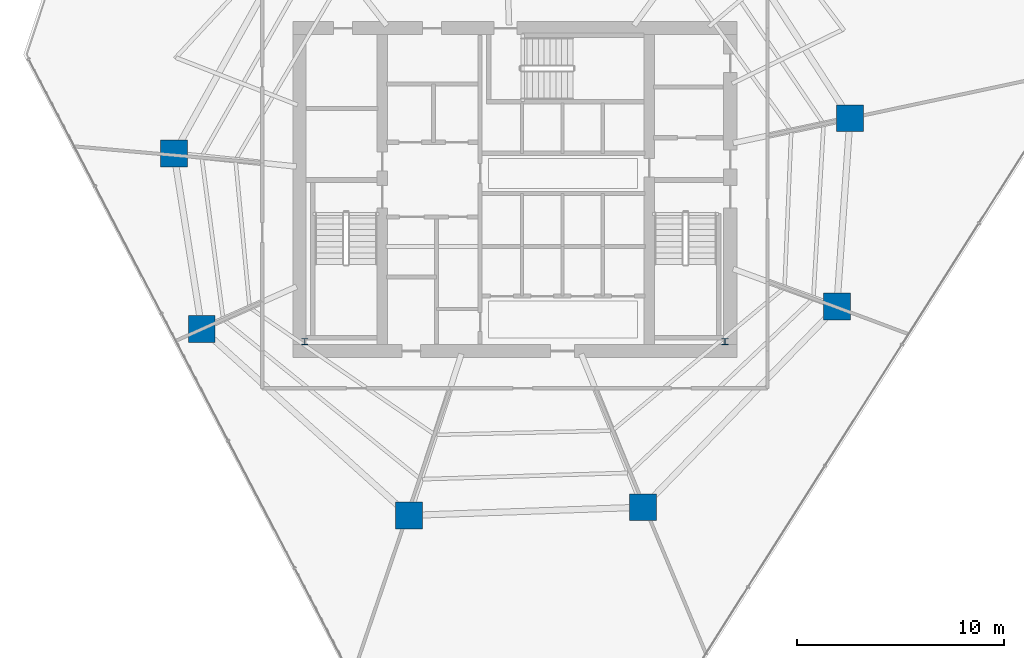
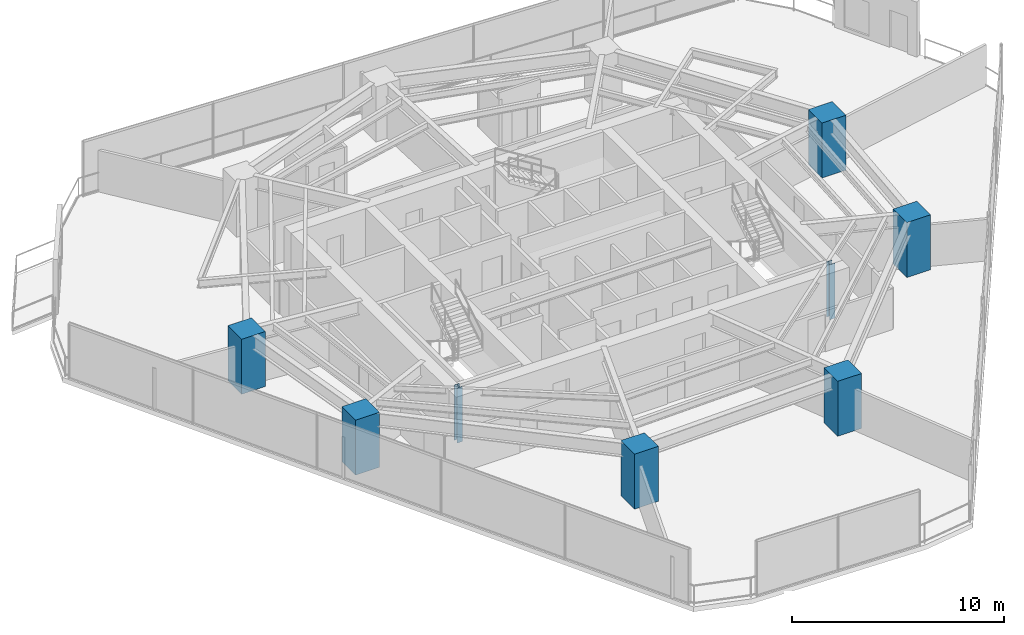
# One storey, part 1 of 30: 8 columns.
"""IFC4 building model written with IfcOpenShell, lengths in metres."""

from ifc_helpers import new_model, si_unit, direction, frame, origin, origin_2d, place, context, subcontext, project, spatial, rectangle, i_section, extrude, material, material_profile, profile_set, type_object, element, save


model = new_model("IFC4")

# Units and contexts
model_context = context("Model", 3, precision=1e-05, world=origin(), true_north=direction((0.0, 1.0)))
body_context = subcontext(model_context, "Body", "Model", "MODEL_VIEW")
ifc_project = project(units=[si_unit("LENGTHUNIT", "METRE"), si_unit("AREAUNIT", "SQUARE_METRE"), si_unit("VOLUMEUNIT", "CUBIC_METRE"), si_unit("PLANEANGLEUNIT", "RADIAN"), si_unit("MASSUNIT", "GRAM", prefix="KILO")], contexts=[model_context])

# Site, building, storey
site_placement = place(None, origin())
site = spatial("IfcSite", under=ifc_project, at=site_placement, CompositionType="ELEMENT")
building_placement = place(site_placement, origin())
building = spatial("IfcBuilding", under=site, at=building_placement, Name="Qarnah Convention Tower", CompositionType="ELEMENT")
storey_placement = place(building_placement, frame((0.0, 0.0, 58.050048828125)))
storey = spatial("IfcBuildingStorey", under=building, at=storey_placement, Name="L14", CompositionType="ELEMENT", Elevation=58.050048828125)

# Columns
ifc_material_1 = material(Name="Concrete C60/75", Category="concrete")
ifc_material_profile_1 = material_profile(ifc_material_1, rectangle(XDim=1.300048828125, YDim=1.300048828125, at=origin_2d()), Name="RC-COL-1300X1300")
ifc_profile_set_1 = profile_set([ifc_material_profile_1], Name="Concrete C60/75")
column_type_1 = type_object("IfcColumnType", Name="COL-Z1-1300", PredefinedType="COLUMN", material=ifc_profile_set_1)
for number, where, z_axis, x_axis, name in (
    (1, (53.387939453125, 29.841064453125, 0.0), (0.0, 0.0, 1.0), (1.0, 0.0, 0.0), "L14 plumb column PC-Z1-01"),
    (2, (20.740966796875, 28.1298828125, 0.0), (0.0, 0.0, 1.0), (1.0, 0.0, 0.0), "L14 plumb column PC-Z1-05"),
    (3, (22.0810546875, 19.6689453125, 0.0), (0.0, 0.0, 1.0), (1.0, 0.0, 0.0), "L14 plumb column PC-Z1-06"),
    (4, (32.0859375, 10.659912109375, 0.0), (0.0, 0.0, 1.0), (1.0, 0.0, 0.0), "L14 plumb column PC-Z1-07"),
    (5, (43.39990234375, 11.054931640625, 0.0), (0.0, 0.0, 1.0), (1.0, 0.0, 0.0), "L14 plumb column PC-Z1-08"),
    (6, (52.751953125, 20.739990234375, 0.0), (0.0, 0.0, 1.0), (1.0, 0.0, 0.0), "L14 plumb column PC-Z1-09"),
):
    element("IfcColumn", number, at=place(storey_placement, frame(where, z_axis=z_axis, x_axis=x_axis)), inside=storey, type_object=column_type_1, Name=name, PredefinedType="COLUMN", context=body_context, shape_type="SweptSolid", body=[
        extrude(rectangle(XDim=1.300048828125, YDim=1.300048828125, at=origin_2d()), origin(), (0.0, 0.0, 1.0), 3.169921875),
    ])
ifc_material_2 = material(Name="Structural steel S355JR", Category="steel")
ifc_material_profile_2 = material_profile(ifc_material_2, i_section(OverallWidth=0.300048828125, OverallDepth=0.300048828125, WebThickness=0.010986328125, FlangeThickness=0.01904296875, at=origin_2d()), Name="HEB300")
ifc_profile_set_2 = profile_set([ifc_material_profile_2], Name="Structural steel S355JR")
column_type_2 = type_object("IfcColumnType", Name="PIL-SHF-300", PredefinedType="PILASTER", material=ifc_profile_set_2)
for number, where, z_axis, x_axis, name in (
    (7, (27.050048828125, 19.050048828125, 0.0), (0.0, 0.0, 1.0), (1.0, 0.0, 0.0), "L14 core spine steel pilaster 1"),
    (8, (47.35009765625, 19.050048828125, 0.0), (0.0, 0.0, 1.0), (1.0, 0.0, 0.0), "L14 core spine steel pilaster 2"),
):
    element("IfcColumn", number, at=place(storey_placement, frame(where, z_axis=z_axis, x_axis=x_axis)), inside=storey, type_object=column_type_2, Name=name, PredefinedType="PILASTER", context=body_context, shape_type="SweptSolid", body=[
        extrude(i_section(OverallWidth=0.300048828125, OverallDepth=0.300048828125, WebThickness=0.010986328125, FlangeThickness=0.01904296875, at=origin_2d()), origin(), (0.0, 0.0, 1.0), 3.169921875),
    ])

save(model, "model.ifc")
